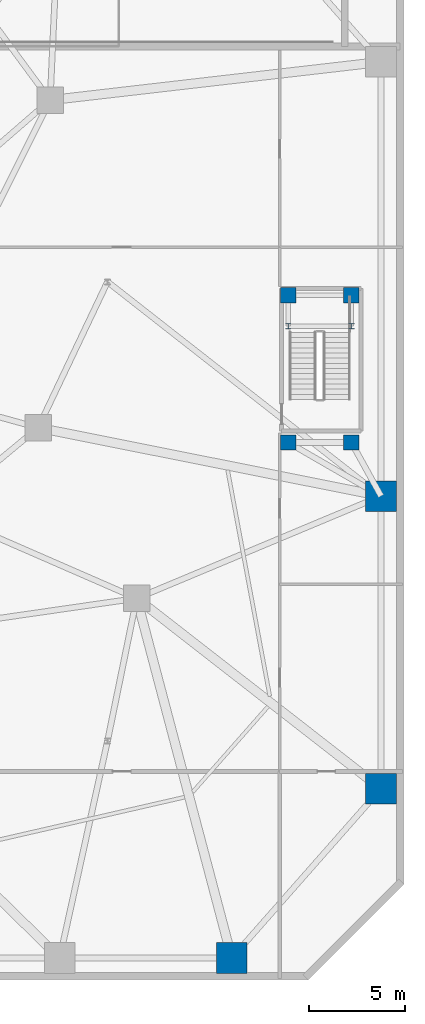
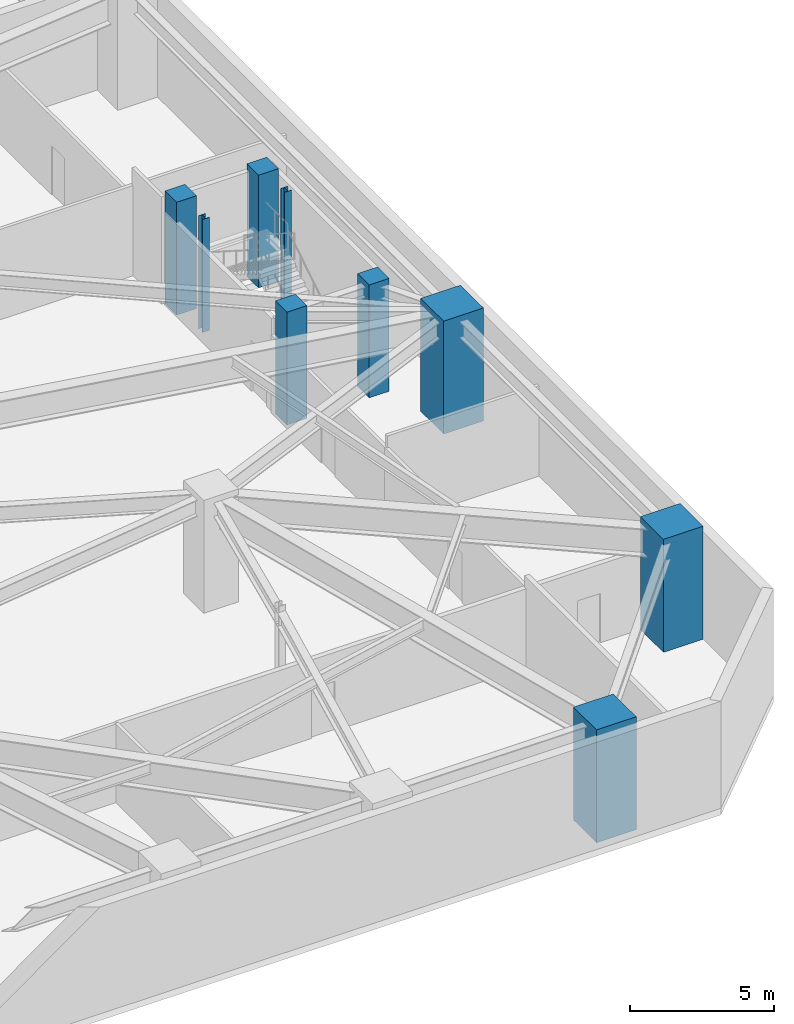
# One storey, part 7 of 18: 9 columns.
"""IFC4 building model written with IfcOpenShell, lengths in metres."""

import ifcopenshell
import ifcopenshell.guid

model = None  # the IFC model being written
_history = None  # IfcOwnerHistory: only IFC2X3 demands one
_inside = {}  # id of a spatial element -> (the spatial element, [elements in it])
_under = {}  # id of a project, library or spatial element -> (it, [spatial elements below it])
_declared = {}  # id of a project -> (the project, [libraries it declares])
_typed = {}  # id of a type object -> (the type object, [elements of that type])
_made_of = {}  # id of a material, layer set ... -> (it, [elements and type objects made of it])


def new_model(schema):
    """Start an empty IFC model of exactly this schema.

    Asked for "IFC4X3", IfcOpenShell would pick the latest addendum, in which some entities
    have other attributes; the version numbers below select the first issue.
    IFC2X3 requires an IfcOwnerHistory on every rooted entity: one is made here for all.
    """
    global model, _history
    if schema == "IFC4X3":
        model = ifcopenshell.file(schema_version=(4, 3, 0, 0))
    else:
        model = ifcopenshell.file(schema=schema)
    _inside.clear()
    _under.clear()
    _declared.clear()
    _typed.clear()
    _made_of.clear()
    _history = None
    if model.schema == "IFC2X3":
        org = make("IfcOrganization", Name="unknown")
        user = make(
            "IfcPersonAndOrganization",
            ThePerson=make("IfcPerson", FamilyName="unknown"),
            TheOrganization=org,
        )
        app = make(
            "IfcApplication",
            ApplicationDeveloper=org,
            Version="unknown",
            ApplicationFullName="unknown",
            ApplicationIdentifier="unknown",
        )
        _history = make(
            "IfcOwnerHistory",
            OwningUser=user,
            OwningApplication=app,
            ChangeAction="ADDED",
            CreationDate=0,
        )
    return model


def make(cls, **values):
    """One entity of the class cls with the attributes given. An attribute that is None is left unset."""
    return model.create_entity(
        cls, **{name: value for name, value in values.items() if value is not None}
    )


def rooted(cls, **values):
    """An entity with a GlobalId (a new one), such as an element, a storey or a relation."""
    return make(cls, GlobalId=ifcopenshell.guid.new(), OwnerHistory=_history, **values)


def si_unit(unit_type, name, prefix=None):
    """IfcSIUnit, for example si_unit("LENGTHUNIT", "METRE", prefix="MILLI")."""
    return make("IfcSIUnit", UnitType=unit_type, Prefix=prefix, Name=name)


def assignment(units):
    """IfcUnitAssignment: the units of a project."""
    return None if units is None else make("IfcUnitAssignment", Units=units)


def point(xyz):
    """IfcCartesianPoint."""
    return None if xyz is None else make("IfcCartesianPoint", Coordinates=xyz)


def direction(xyz):
    """IfcDirection."""
    return None if xyz is None else make("IfcDirection", DirectionRatios=xyz)


def frame(location, z_axis=None, x_axis=None):
    """IfcAxis2Placement3D, a coordinate frame: its origin and axes. An axis left out is left unset."""
    return make(
        "IfcAxis2Placement3D",
        Location=point(location),
        Axis=direction(z_axis),
        RefDirection=direction(x_axis),
    )


def frame_2d(location, x_axis=None):
    """IfcAxis2Placement2D, a coordinate frame in the plane: its origin and x axis."""
    return make(
        "IfcAxis2Placement2D", Location=point(location), RefDirection=direction(x_axis)
    )


def origin():
    """The frame at (0, 0, 0) with its axes left unset."""
    return frame((0.0, 0.0, 0.0))


def origin_2d():
    """The frame at (0, 0) in the plane with its x axis left unset."""
    return frame_2d((0.0, 0.0))


def place(relative_to, where):
    """IfcLocalPlacement: puts the frame where relative to a parent placement (None: the world)."""
    return make(
        "IfcLocalPlacement", PlacementRelTo=relative_to, RelativePlacement=where
    )


def context(
    kind, dimensions, precision=None, world=None, true_north=None, identifier=None
):
    """IfcGeometricRepresentationContext, for example the 3D "Model" context."""
    return make(
        "IfcGeometricRepresentationContext",
        ContextIdentifier=identifier,
        ContextType=kind,
        CoordinateSpaceDimension=dimensions,
        Precision=precision,
        WorldCoordinateSystem=world,
        TrueNorth=true_north,
    )


def subcontext(parent, identifier, kind, view, scale=None):
    """IfcGeometricRepresentationSubContext, for example "Body" below "Model"."""
    return make(
        "IfcGeometricRepresentationSubContext",
        ContextIdentifier=identifier,
        ContextType=kind,
        ParentContext=parent,
        TargetScale=scale,
        TargetView=view,
    )


def project(units=None, contexts=None):
    """IfcProject with its units and contexts."""
    return rooted(
        "IfcProject",
        Name="project",
        RepresentationContexts=contexts,
        UnitsInContext=assignment(units),
    )


def spatial(cls, under=None, at=None, **own):
    """A site, building, storey or space (cls), placed at a placement, below another one or the project."""
    s = rooted(cls, ObjectPlacement=at, **own)
    if under is not None:
        _under.setdefault(under.id(), (under, []))[1].append(s)
    return s


def profile(cls, at=None, kind="AREA", **sizes):
    """A parametric profile (cls). Its sizes go by their IFC names, for example OverallWidth=200.0."""
    return make(cls, ProfileType=kind, Position=at, **sizes)


def rectangle(**sizes):
    """IfcRectangleProfileDef."""
    return profile("IfcRectangleProfileDef", **sizes)


def i_section(**sizes):
    """IfcIShapeProfileDef."""
    return profile("IfcIShapeProfileDef", **sizes)


def extrude(swept, where, along, depth):
    """IfcExtrudedAreaSolid: the profile swept, set in the frame where, extruded along a direction by depth."""
    return make(
        "IfcExtrudedAreaSolid",
        SweptArea=swept,
        Position=where,
        ExtrudedDirection=direction(along),
        Depth=depth,
    )


def shape(context_of_items, identifier, shape_type, items):
    """IfcShapeRepresentation: the items that make up one representation, for example the "Body"."""
    return make(
        "IfcShapeRepresentation",
        ContextOfItems=context_of_items,
        RepresentationIdentifier=identifier,
        RepresentationType=shape_type,
        Items=items,
    )


def material(Name=None, Category=None):
    """IfcMaterial."""
    return make("IfcMaterial", Name=Name, Category=Category)


def material_profile(
    of_material, cross_section, Name=None, Category=None, Priority=None
):
    """IfcMaterialProfile: a cross section and its material."""
    return make(
        "IfcMaterialProfile",
        Name=Name,
        Material=of_material,
        Profile=cross_section,
        Priority=Priority,
        Category=Category,
    )


def profile_set(profiles, Name=None, composite=None):
    """IfcMaterialProfileSet."""
    return make(
        "IfcMaterialProfileSet",
        Name=Name,
        MaterialProfiles=profiles,
        CompositeProfile=composite,
    )


def made_of(thing, what):
    """Note that an element or type object is made of a material, layer set ...; save() writes the relation."""
    if what is not None:
        _made_of.setdefault(what.id(), (what, []))[1].append(thing)
    return thing


def type_object(cls, material=None, **own):
    """A type object (cls), such as IfcWallType, which elements share."""
    return made_of(rooted(cls, **own), material)


def element(
    cls,
    number,
    at=None,
    inside=None,
    cuts=None,
    type_object=None,
    material=None,
    context=None,
    identifier="Body",
    shape_type=None,
    held_by="IfcProductDefinitionShape",
    body=None,
    shapes=None,
    **own,
):
    """One element of the class cls, such as IfcWall. Its Tag is "e" and its number.

    at: its placement. inside: the storey or other place that contains it. cuts: it is an
    opening in that element (IfcRelVoidsElement). A single representation is given by context,
    identifier, shape_type and body (its items); several are given by shapes. held_by: the class
    of the entity that holds the representations. save() writes the other relations.
    """
    e = rooted(cls, Tag="e%d" % number, ObjectPlacement=at, **own)
    if body is not None:
        shapes = [shape(context, identifier, shape_type, body)]
    if shapes is not None:
        e.Representation = make(held_by, Representations=shapes)
    if inside is not None:
        _inside.setdefault(inside.id(), (inside, []))[1].append(e)
    if cuts is not None:
        rooted(
            "IfcRelVoidsElement", RelatingBuildingElement=cuts, RelatedOpeningElement=e
        )
    if type_object is not None:
        _typed.setdefault(type_object.id(), (type_object, []))[1].append(e)
    return made_of(e, material)


def aggregate(whole, parts):
    """IfcRelAggregates: a whole, such as a stair, and the parts it consists of."""
    return rooted("IfcRelAggregates", RelatingObject=whole, RelatedObjects=parts)


def save(model, path):
    """Write the relations noted so far, then the file.

    IfcRelAggregates (storeys below a building ...), IfcRelContainedInSpatialStructure (elements
    in a storey), IfcRelDefinesByType, IfcRelAssociatesMaterial and IfcRelDeclares: one each for
    every whole, place, type object, material and project.
    """
    for whole, parts in _under.values():
        aggregate(whole, parts)
    for where, things in _inside.values():
        rooted(
            "IfcRelContainedInSpatialStructure",
            RelatedElements=things,
            RelatingStructure=where,
        )
    for kind, things in _typed.values():
        rooted("IfcRelDefinesByType", RelatedObjects=things, RelatingType=kind)
    for what, things in _made_of.values():
        rooted("IfcRelAssociatesMaterial", RelatedObjects=things, RelatingMaterial=what)
    for by, libraries in _declared.values():
        rooted("IfcRelDeclares", RelatingContext=by, RelatedDefinitions=libraries)
    model.write(path)


model = new_model("IFC4")

# Units and contexts
model_context = context("Model", 3, precision=1e-05, world=origin(), true_north=direction((0.0, 1.0)))
body_context = subcontext(model_context, "Body", "Model", "MODEL_VIEW")
ifc_project = project(units=[si_unit("LENGTHUNIT", "METRE"), si_unit("AREAUNIT", "SQUARE_METRE"), si_unit("VOLUMEUNIT", "CUBIC_METRE"), si_unit("PLANEANGLEUNIT", "RADIAN"), si_unit("MASSUNIT", "GRAM", prefix="KILO")], contexts=[model_context])

# Site, building, storey
site_placement = place(None, origin())
site = spatial("IfcSite", under=ifc_project, at=site_placement, CompositionType="ELEMENT")
building_placement = place(site_placement, origin())
building = spatial("IfcBuilding", under=site, at=building_placement, Name="Terralouvre Media Tower", CompositionType="ELEMENT")
storey_placement = place(building_placement, frame((0.0, 0.0, -4.800048828125)))
storey = spatial("IfcBuildingStorey", under=building, at=storey_placement, Name="B01", CompositionType="ELEMENT", Elevation=-4.800048828125)

# Columns
ifc_material_1 = material(Name="Structural steel S355J2", Category="steel")
ifc_material_profile_1 = material_profile(ifc_material_1, i_section(OverallWidth=0.280029296875, OverallDepth=0.280029296875, WebThickness=0.010498046875, FlangeThickness=0.01806640625, at=origin_2d()), Name="HEB 280")
ifc_profile_set_1 = profile_set([ifc_material_profile_1], Name="Structural steel S355J2")
column_type_1 = type_object("IfcColumnType", Name="Basement Aisle Pilaster PL-HEB280 (HEB 280)", PredefinedType="PILASTER", material=ifc_profile_set_1)
for number, where, z_axis, x_axis, name in (
    (1, (30.949951171875, 9.679931640625, 0.0), (0.0, 0.0, 1.0), (1.0, 0.0, 0.0), "B01 Stair Half-Landing Post ST4CLP1"),
    (2, (34.25, 9.679931640625, 0.0), (0.0, 0.0, 1.0), (1.0, 0.0, 0.0), "B01 Stair Half-Landing Post ST4CLP2"),
):
    element("IfcColumn", number, at=place(storey_placement, frame(where, z_axis=z_axis, x_axis=x_axis)), inside=storey, type_object=column_type_1, Name=name, PredefinedType="PILASTER", context=body_context, shape_type="SweptSolid", body=[
        extrude(i_section(OverallWidth=0.280029296875, OverallDepth=0.280029296875, WebThickness=0.010498046875, FlangeThickness=0.01806640625, at=origin_2d()), origin(), (0.0, 0.0, 1.0), 4.800048828125),
    ])
ifc_material_2 = material(Name="Concrete C60/75", Category="concrete")
ifc_material_profile_2 = material_profile(ifc_material_2, rectangle(XDim=1.60009765625, YDim=1.60009765625, at=origin_2d()), Name="RC 1600x1600")
ifc_profile_set_2 = profile_set([ifc_material_profile_2], Name="Concrete C60/75")
column_type_2 = type_object("IfcColumnType", Name="Structural Column C-RC1600 (RC 1600x1600)", PredefinedType="COLUMN", material=ifc_profile_set_2)
for number, where, z_axis, x_axis, name in (
    (3, (28.0, -23.35009765625, 0.0), (0.0, 0.0, 1.0), (1.0, 0.0, 0.0), "B01 Perimeter Mega-Column PM06"),
    (4, (35.800048828125, -14.5, 0.0), (0.0, 0.0, 1.0), (1.0, 0.0, 0.0), "B01 Perimeter Mega-Column PM07"),
    (5, (35.800048828125, 0.800048828125, 0.0), (0.0, 0.0, 1.0), (1.0, 0.0, 0.0), "B01 Perimeter Mega-Column PM08"),
):
    element("IfcColumn", number, at=place(storey_placement, frame(where, z_axis=z_axis, x_axis=x_axis)), inside=storey, type_object=column_type_2, Name=name, PredefinedType="COLUMN", context=body_context, shape_type="SweptSolid", body=[
        extrude(rectangle(XDim=1.60009765625, YDim=1.60009765625, at=origin_2d()), origin(), (0.0, 0.0, 1.0), 4.800048828125),
    ])
ifc_material_3 = material(Name="Concrete C50/60", Category="concrete")
ifc_material_profile_3 = material_profile(ifc_material_3, rectangle(XDim=0.800048828125, YDim=0.800048828125, at=origin_2d()), Name="RC 800x800")
ifc_profile_set_3 = profile_set([ifc_material_profile_3], Name="Concrete C50/60")
column_type_3 = type_object("IfcColumnType", Name="Structural Column C-RC800 (RC 800x800)", PredefinedType="COLUMN", material=ifc_profile_set_3)
for number, where, z_axis, x_axis, name in (
    (6, (30.949951171875, 3.60009765625, 0.0), (0.0, 0.0, 1.0), (1.0, 0.0, 0.0), "B01 Stair Pavilion Support Column ST4C1"),
    (7, (34.25, 3.60009765625, 0.0), (0.0, 0.0, 1.0), (1.0, 0.0, 0.0), "B01 Stair Pavilion Support Column ST4C2"),
    (8, (34.25, 11.300048828125, 0.0), (0.0, 0.0, 1.0), (1.0, 0.0, 0.0), "B01 Stair Pavilion Support Column ST4C3"),
    (9, (30.949951171875, 11.300048828125, 0.0), (0.0, 0.0, 1.0), (1.0, 0.0, 0.0), "B01 Stair Pavilion Support Column ST4C4"),
):
    element("IfcColumn", number, at=place(storey_placement, frame(where, z_axis=z_axis, x_axis=x_axis)), inside=storey, type_object=column_type_3, Name=name, PredefinedType="COLUMN", context=body_context, shape_type="SweptSolid", body=[
        extrude(rectangle(XDim=0.800048828125, YDim=0.800048828125, at=origin_2d()), origin(), (0.0, 0.0, 1.0), 4.800048828125),
    ])

save(model, "model.ifc")
